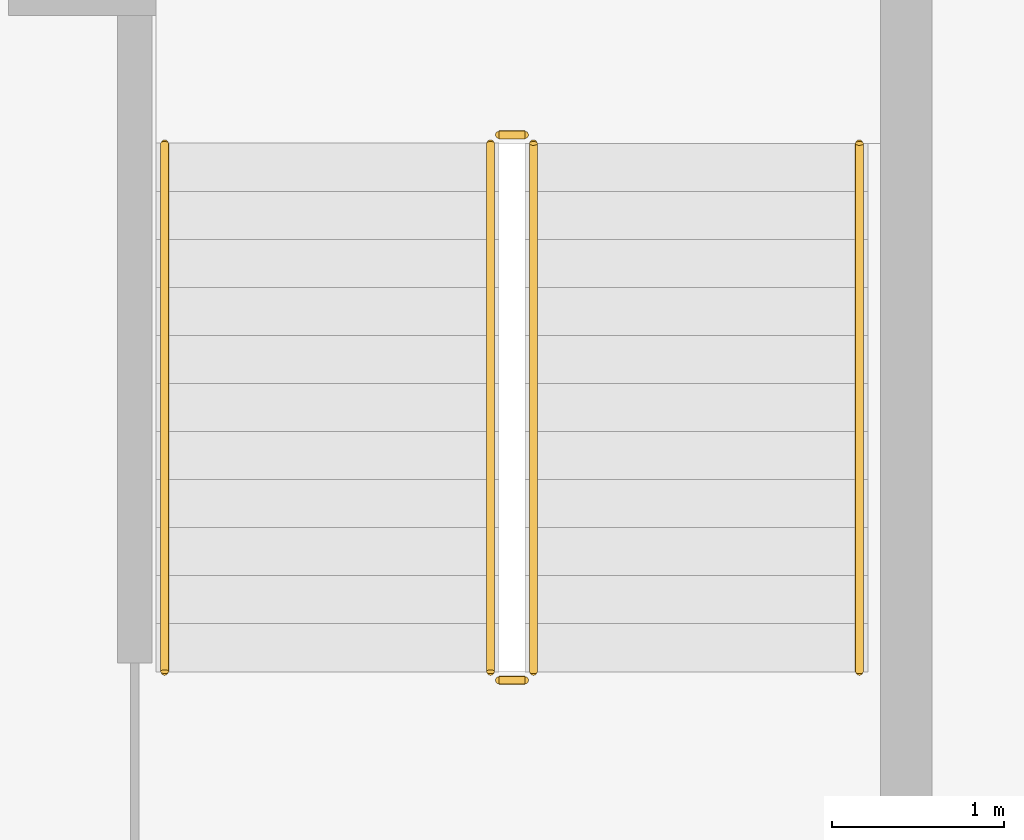
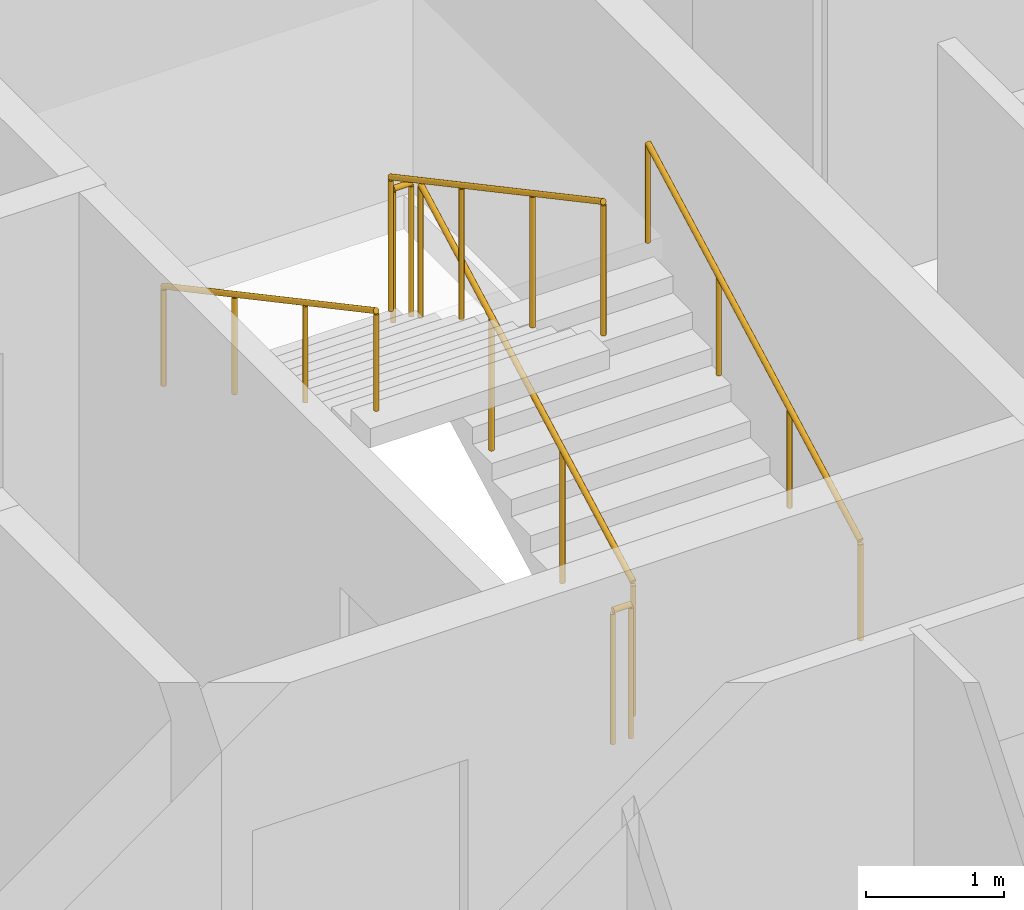
# One storey, part 14 of 14: 6 railings.
"""IFC4 building model written with IfcOpenShell, lengths in metres."""

from ifc_helpers import new_model, si_unit, direction, frame, origin, origin_2d, place, context, subcontext, project, spatial, circle, extrude, material, type_object, element, save


model = new_model("IFC4")

# Units and contexts
model_context = context("Model", 3, precision=1e-05, world=origin(), true_north=direction((0.0, 1.0)))
body_context = subcontext(model_context, "Body", "Model", "MODEL_VIEW")
ifc_project = project(units=[si_unit("LENGTHUNIT", "METRE"), si_unit("AREAUNIT", "SQUARE_METRE"), si_unit("VOLUMEUNIT", "CUBIC_METRE"), si_unit("PLANEANGLEUNIT", "RADIAN"), si_unit("MASSUNIT", "GRAM", prefix="KILO")], contexts=[model_context])

# Site, building, storey
site_placement = place(None, origin())
site = spatial("IfcSite", under=ifc_project, at=site_placement, CompositionType="ELEMENT")
building_placement = place(site_placement, origin())
building = spatial("IfcBuilding", under=site, at=building_placement, Name="Caravel Reach Hotel and Residences", CompositionType="ELEMENT")
storey_placement = place(building_placement, frame((0.0, 0.0, 56.39990234375)))
storey = spatial("IfcBuildingStorey", under=building, at=storey_placement, Name="L12", CompositionType="ELEMENT", Elevation=56.39990234375)

# Railings
ifc_material_1 = material(Name="Steel balustrade with glass infill", Category="steel")
railing_type_1 = type_object("IfcRailingType", Name="Guard 1200", PredefinedType="GUARDRAIL", material=ifc_material_1)
railing_1_placement = place(storey_placement, frame((42.824951171875, 24.64990234375, 0.150146484375)))
element("IfcRailing", 1, at=railing_1_placement, inside=storey, type_object=railing_type_1, Name="L12 ST-B stair guard 1", PredefinedType="GUARDRAIL", context=body_context, shape_type="SweptSolid", body=[
    extrude(circle(Radius=0.02392578125, at=origin_2d()), frame((0.0, 0.0, 1.17578125), z_axis=(0.0, 0.881496589024, 0.472190389079), x_axis=(-1.0, 0.0, 0.0)), (0.0, 0.0, 1.0), 3.494140625),
    extrude(circle(Radius=0.02099609375, at=origin_2d()), origin(), (0.0, 0.0, 1.0), 1.15185546875),
    extrude(circle(Radius=0.02099609375, at=origin_2d()), frame((0.0, 1.026611328125, 0.550048828125)), (0.0, 0.0, 1.0), 1.15185546875),
    extrude(circle(Radius=0.02099609375, at=origin_2d()), frame((0.0, 2.053466796875, 1.099853515625)), (0.0, 0.0, 1.0), 1.15185546875),
    extrude(circle(Radius=0.02099609375, at=origin_2d()), frame((0.0, 3.080078125, 1.64990234375)), (0.0, 0.0, 1.0), 1.15185546875),
])
railing_2_placement = place(storey_placement, frame((42.77490234375, 27.780029296875, 1.800048828125)))
element("IfcRailing", 2, at=railing_2_placement, inside=storey, type_object=railing_type_1, Name="L12 ST-B stair guard 2", PredefinedType="GUARDRAIL", context=body_context, shape_type="SweptSolid", body=[
    extrude(circle(Radius=0.02392578125, at=origin_2d()), frame((0.0, 0.0, 1.17578125), z_axis=(-1.0, 0.0, 0.0), x_axis=(0.0, -1.0, 0.0)), (0.0, 0.0, 1.0), 0.14990234375),
    extrude(circle(Radius=0.02099609375, at=origin_2d()), origin(), (0.0, 0.0, 1.0), 1.15185546875),
    extrude(circle(Radius=0.02099609375, at=origin_2d()), frame((-0.14990234375, 0.0, 0.0)), (0.0, 0.0, 1.0), 1.15185546875),
])
railing_3_placement = place(storey_placement, frame((42.574951171875, 27.72998046875, 1.9501953125)))
element("IfcRailing", 3, at=railing_3_placement, inside=storey, type_object=railing_type_1, Name="L12 ST-B stair guard 3", PredefinedType="GUARDRAIL", context=body_context, shape_type="SweptSolid", body=[
    extrude(circle(Radius=0.02392578125, at=origin_2d()), frame((0.0, 0.0, 1.17578125), z_axis=(0.0, -0.881496589024, 0.472190389079), x_axis=(1.0, 0.0, 0.0)), (0.0, 0.0, 1.0), 3.494140625),
    extrude(circle(Radius=0.02099609375, at=origin_2d()), origin(), (0.0, 0.0, 1.0), 1.15185546875),
    extrude(circle(Radius=0.02099609375, at=origin_2d()), frame((0.0, -1.026611328125, 0.550048828125)), (0.0, 0.0, 1.0), 1.15185546875),
    extrude(circle(Radius=0.02099609375, at=origin_2d()), frame((0.0, -2.053466796875, 1.099853515625)), (0.0, 0.0, 1.0), 1.15185546875),
    extrude(circle(Radius=0.02099609375, at=origin_2d()), frame((0.0, -3.080078125, 1.64990234375)), (0.0, 0.0, 1.0), 1.15185546875),
])
railing_4_placement = place(storey_placement, frame((42.77490234375, 24.60009765625, 0.0)))
element("IfcRailing", 4, at=railing_4_placement, inside=storey, type_object=railing_type_1, Name="L12 ST-B stair guard 4", PredefinedType="GUARDRAIL", context=body_context, shape_type="SweptSolid", body=[
    extrude(circle(Radius=0.02392578125, at=origin_2d()), frame((0.0, 0.0, 1.17578125), z_axis=(-1.0, 0.0, 0.0), x_axis=(0.0, -1.0, 0.0)), (0.0, 0.0, 1.0), 0.14990234375),
    extrude(circle(Radius=0.02099609375, at=origin_2d()), origin(), (0.0, 0.0, 1.0), 1.15185546875),
    extrude(circle(Radius=0.02099609375, at=origin_2d()), frame((-0.14990234375, 0.0, 0.0)), (0.0, 0.0, 1.0), 1.15185546875),
])
ifc_material_2 = material(Name="Stainless steel handrail", Category="steel")
railing_type_2 = type_object("IfcRailingType", Name="Handrail 900", PredefinedType="HANDRAIL", material=ifc_material_2)
railing_5_placement = place(storey_placement, frame((44.72509765625, 24.64990234375, 0.150146484375)))
element("IfcRailing", 5, at=railing_5_placement, inside=storey, type_object=railing_type_2, Name="L12 ST-B stair handrail 1", PredefinedType="HANDRAIL", context=body_context, shape_type="SweptSolid", body=[
    extrude(circle(Radius=0.02392578125, at=origin_2d()), frame((0.0, 0.0, 0.8759765625), z_axis=(0.0, 0.881496589024, 0.472190389079), x_axis=(-1.0, 0.0, 0.0)), (0.0, 0.0, 1.0), 3.494140625),
    extrude(circle(Radius=0.02099609375, at=origin_2d()), origin(), (0.0, 0.0, 1.0), 0.851806640625),
    extrude(circle(Radius=0.02099609375, at=origin_2d()), frame((0.0, 1.026611328125, 0.550048828125)), (0.0, 0.0, 1.0), 0.851806640625),
    extrude(circle(Radius=0.02099609375, at=origin_2d()), frame((0.0, 2.053466796875, 1.099853515625)), (0.0, 0.0, 1.0), 0.851806640625),
    extrude(circle(Radius=0.02099609375, at=origin_2d()), frame((0.0, 3.080078125, 1.64990234375)), (0.0, 0.0, 1.0), 0.851806640625),
])
railing_6_placement = place(storey_placement, frame((40.675048828125, 27.72998046875, 1.9501953125)))
element("IfcRailing", 6, at=railing_6_placement, inside=storey, type_object=railing_type_2, Name="L12 ST-B stair handrail 2", PredefinedType="HANDRAIL", context=body_context, shape_type="SweptSolid", body=[
    extrude(circle(Radius=0.02392578125, at=origin_2d()), frame((0.0, 0.0, 0.8759765625), z_axis=(0.0, -0.881496589024, 0.472190389079), x_axis=(1.0, 0.0, 0.0)), (0.0, 0.0, 1.0), 3.494140625),
    extrude(circle(Radius=0.02099609375, at=origin_2d()), origin(), (0.0, 0.0, 1.0), 0.851806640625),
    extrude(circle(Radius=0.02099609375, at=origin_2d()), frame((0.0, -1.026611328125, 0.550048828125)), (0.0, 0.0, 1.0), 0.851806640625),
    extrude(circle(Radius=0.02099609375, at=origin_2d()), frame((0.0, -2.053466796875, 1.099853515625)), (0.0, 0.0, 1.0), 0.851806640625),
    extrude(circle(Radius=0.02099609375, at=origin_2d()), frame((0.0, -3.080078125, 1.64990234375)), (0.0, 0.0, 1.0), 0.851806640625),
])

save(model, "model.ifc")
